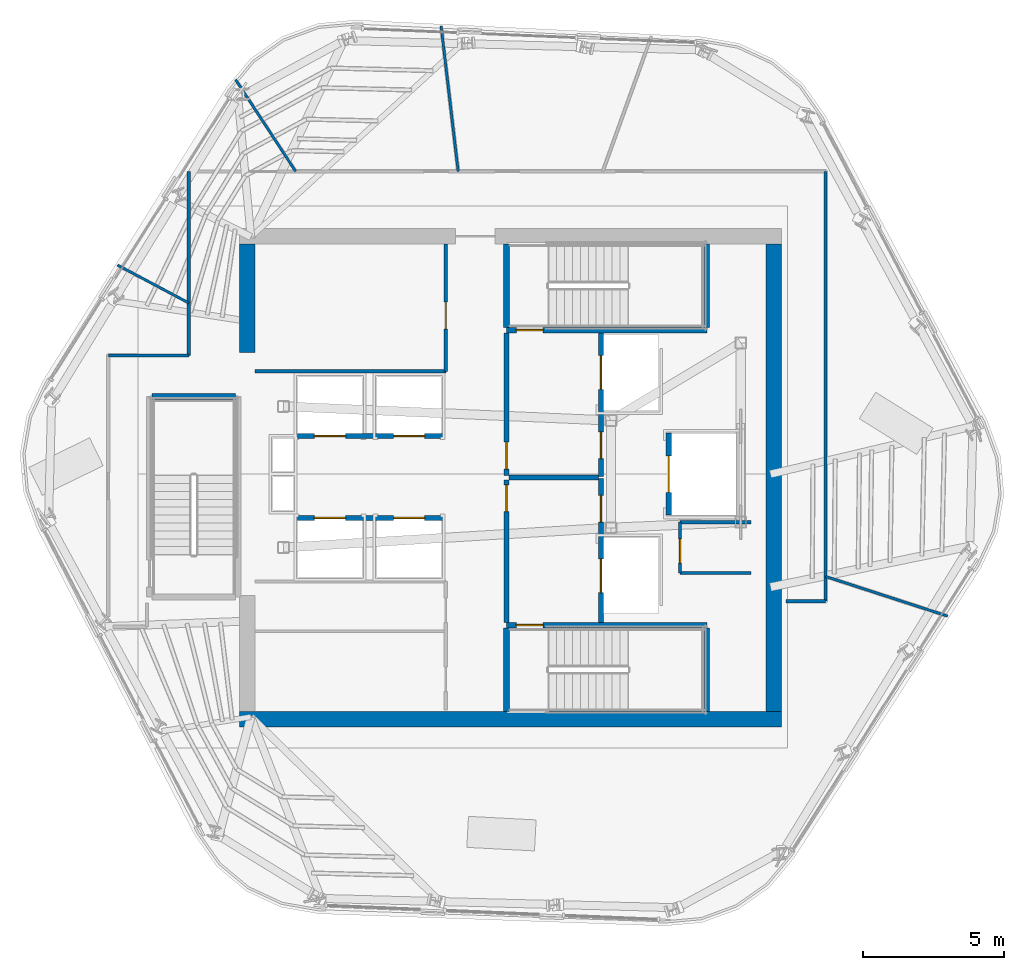
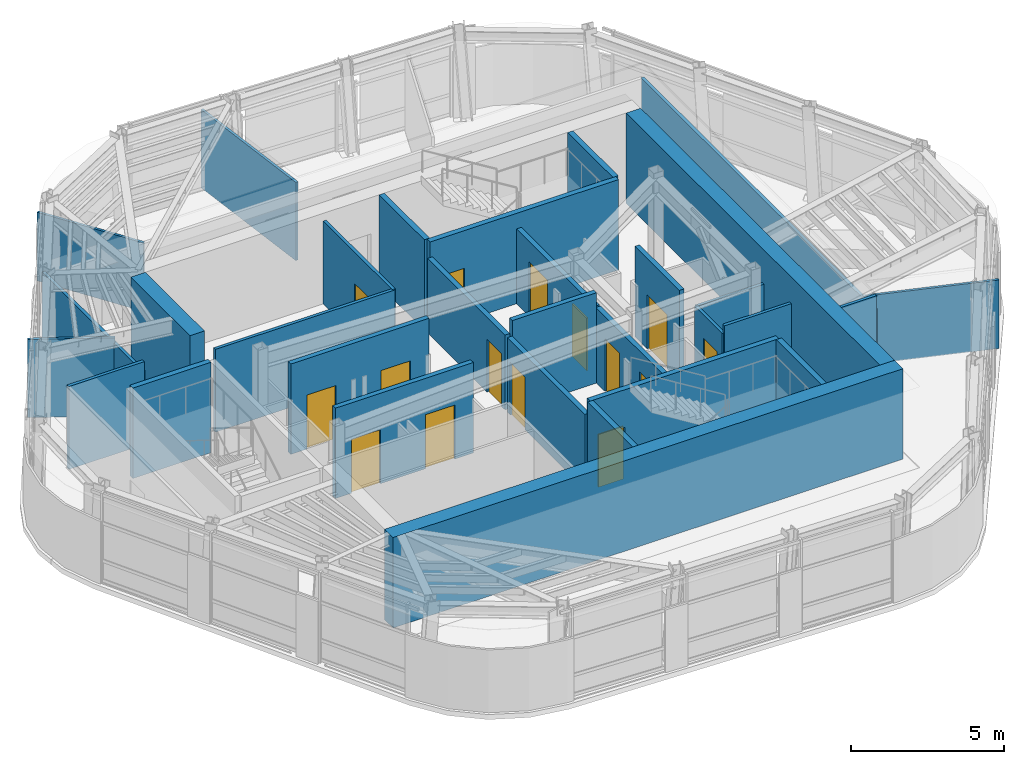
# One storey, part 7 of 13: 31 walls, 15 doors, 15 openings.
"""IFC4 building model written with IfcOpenShell, lengths in metres."""

from ifc_helpers import new_model, si_unit, direction, frame, frame_2d, origin, place, context, subcontext, project, spatial, rectangle, extrude, material, layer, layer_set, type_object, element, fill, save


model = new_model("IFC4")

# Units and contexts
model_context = context("Model", 3, precision=1e-05, world=origin(), true_north=direction((0.0, 1.0)))
body_context = subcontext(model_context, "Body", "Model", "MODEL_VIEW")
ifc_project = project(units=[si_unit("LENGTHUNIT", "METRE"), si_unit("AREAUNIT", "SQUARE_METRE"), si_unit("VOLUMEUNIT", "CUBIC_METRE"), si_unit("PLANEANGLEUNIT", "RADIAN"), si_unit("MASSUNIT", "GRAM", prefix="KILO")], contexts=[model_context])

# Site, building, storey
site_placement = place(None, origin())
site = spatial("IfcSite", under=ifc_project, at=site_placement, CompositionType="ELEMENT")
building_placement = place(site_placement, origin())
building = spatial("IfcBuilding", under=site, at=building_placement, Name="Valkerne Bourse Tower", CompositionType="ELEMENT")
storey_placement = place(building_placement, frame((0.0, 0.0, 273.60009765625)))
storey = spatial("IfcBuildingStorey", under=building, at=storey_placement, Name="L69", CompositionType="ELEMENT", Elevation=273.60009765625)

# Walls
ifc_material_1 = material(Name="Concrete C55/67", Category="concrete")
ifc_layer_1 = layer(ifc_material_1, 0.550048828125)
ifc_layer_set_1 = layer_set([ifc_layer_1], Name="Concrete C55/67")
wall_type_1 = type_object("IfcWallType", Name="W-CORE-550", PredefinedType="SHEAR", material=ifc_layer_set_1)
wall_1_placement = place(storey_placement, frame((37.199951171875, 18.324951171875, 0.0), z_axis=(0.0, 0.0, 1.0), x_axis=(1.0, 0.0, 0.0)))
element("IfcWall", 1, at=wall_1_placement, inside=storey, type_object=wall_type_1, Name="L69 Core Shear Wall SOUTH", PredefinedType="SHEAR", context=body_context, shape_type="SweptSolid", body=[
    extrude(rectangle(XDim=19.199951171875, YDim=0.550048828125, at=frame_2d((9.60009765625, 0.0))), origin(), (0.0, 0.0, 1.0), 3.599853515625),
])
wall_2_placement = place(storey_placement, frame((56.125, 18.60009765625, 0.0), z_axis=(0.0, 0.0, 1.0), x_axis=(0.0, 1.0, 0.0)))
element("IfcWall", 2, at=wall_2_placement, inside=storey, type_object=wall_type_1, Name="L69 Core Shear Wall EAST", PredefinedType="SHEAR", context=body_context, shape_type="SweptSolid", body=[
    extrude(rectangle(XDim=16.5498046875, YDim=0.550048828125, at=frame_2d((8.27490234375, 0.0))), origin(), (0.0, 0.0, 1.0), 3.599853515625),
])
wall_3_placement = place(storey_placement, frame((37.47509765625, 31.300048828125, 0.0), z_axis=(0.0, 0.0, 1.0), x_axis=(0.0, 1.0, 0.0)))
element("IfcWall", 3, at=wall_3_placement, inside=storey, type_object=wall_type_1, Name="L69 Core Shear Wall WEST-N", PredefinedType="SHEAR", context=body_context, shape_type="SweptSolid", body=[
    extrude(rectangle(XDim=3.849853515625, YDim=0.550048828125, at=frame_2d((1.9248046875, 0.0))), origin(), (0.0, 0.0, 1.0), 3.599853515625),
])

# Wall, opening, door
ifc_material_2 = material(Name="Gypsum Board Steel-Stud Partition", Category="steel")
ifc_layer_2 = layer(ifc_material_2, 0.117919921875)
ifc_layer_set_2 = layer_set([ifc_layer_2], Name="Gypsum Board Steel-Stud Partition")
wall_type_2 = type_object("IfcWallType", Name="W-CORR-140", PredefinedType="PARTITIONING", material=ifc_layer_set_2)
wall_4_placement = place(storey_placement, frame((44.5, 30.639892578125, 0.0), z_axis=(0.0, 0.0, 1.0), x_axis=(0.0, 1.0, 0.0)))
wall_4 = element("IfcWall", 4, at=wall_4_placement, inside=storey, type_object=wall_type_2, Name="L69 LV7 Mid-Bank East Wall", PredefinedType="PARTITIONING", context=body_context, shape_type="SweptSolid", body=[
    extrude(rectangle(XDim=4.510009765625, YDim=0.117919921875, at=frame_2d((2.2548828125, 0.0))), origin(), (0.0, 0.0, 1.0), 3.2998046875),
])
opening_1_placement = place(wall_4_placement, frame((1.5, 0.0, 0.0)))
opening_1 = element("IfcOpeningElement", 5, at=opening_1_placement, cuts=wall_4, Name="Opening D-SV-950", PredefinedType="OPENING", context=body_context, shape_type="SweptSolid", body=[
    extrude(rectangle(XDim=0.949951171875, YDim=2.050048828125, at=frame_2d((0.47509765625, 1.02490234375))), frame((0.0, 0.06884765625, 0.0), z_axis=(0.0, -1.0, 0.0), x_axis=(1.0, 0.0, 0.0)), (0.0, 0.0, 1.0), 0.137939453125),
])
ifc_material_3 = material(Name="Galvanised Painted Steel", Category="steel")
door_type_1 = type_object("IfcDoorType", Name="DR-SRV-950", OperationType="NOTDEFINED", PredefinedType="DOOR", material=ifc_material_3)
door_1_placement = place(opening_1_placement, origin())
door_1 = element("IfcDoor", 6, at=door_1_placement, inside=storey, type_object=door_type_1, Name="L69 Executive Treasury Conference Door", OperationType="SINGLE_SWING_RIGHT", OverallHeight=2.050048828125, OverallWidth=0.949951171875, PredefinedType="DOOR", context=body_context, shape_type="SweptSolid", body=[
    extrude(rectangle(XDim=0.949951171875, YDim=2.050048828125, at=frame_2d((0.47509765625, 1.02490234375))), frame((0.0, 0.02490234375, 0.0), z_axis=(0.0, -1.0, 0.0), x_axis=(1.0, 0.0, 0.0)), (0.0, 0.0, 1.0), 0.050048828125),
])
fill(opening_1, door_1)

# Wall
wall_5_placement = place(storey_placement, frame((37.75, 30.639892578125, 0.0), z_axis=(0.0, 0.0, 1.0), x_axis=(1.0, 0.0, 0.0)))
element("IfcWall", 7, at=wall_5_placement, inside=storey, type_object=wall_type_2, Name="L69 LV7 Mid-Bank South Wall", PredefinedType="PARTITIONING", context=body_context, shape_type="SweptSolid", body=[
    extrude(rectangle(XDim=6.75, YDim=0.117919921875, at=frame_2d((3.375, 0.0))), origin(), (0.0, 0.0, 1.0), 3.2998046875),
])

# Wall, opening, door
wall_6_placement = place(storey_placement, frame((52.800048828125, 23.5, 0.0), z_axis=(0.0, 0.0, 1.0), x_axis=(0.0, 1.0, 0.0)))
wall_6 = element("IfcWall", 8, at=wall_6_placement, inside=storey, type_object=wall_type_2, Name="L69 Core SE North-Bay West Wall", PredefinedType="PARTITIONING", context=body_context, shape_type="SweptSolid", body=[
    extrude(rectangle(XDim=1.800048828125, YDim=0.117919921875, at=frame_2d((0.89990234375, 0.0))), origin(), (0.0, 0.0, 1.0), 2.977783203125),
])
opening_2_placement = place(wall_6_placement, frame((0.35009765625, 0.0, 0.0)))
opening_2 = element("IfcOpeningElement", 9, at=opening_2_placement, cuts=wall_6, Name="Opening D-WC-900", PredefinedType="OPENING", context=body_context, shape_type="SweptSolid", body=[
    extrude(rectangle(XDim=0.860107421875, YDim=2.050048828125, at=frame_2d((0.43017578125, 1.02490234375))), frame((0.0, 0.06884765625, 0.0), z_axis=(0.0, -1.0, 0.0), x_axis=(1.0, 0.0, 0.0)), (0.0, 0.0, 1.0), 0.137939453125),
])
ifc_material_4 = material(Name="Architectural White Oak Timber", Category="wood")
door_type_2 = type_object("IfcDoorType", Name="DR-WC-900", OperationType="NOTDEFINED", PredefinedType="DOOR", material=ifc_material_4)
door_2_placement = place(opening_2_placement, origin())
door_2 = element("IfcDoor", 10, at=door_2_placement, inside=storey, type_object=door_type_2, Name="L69 Telecom Closet Door", OperationType="SINGLE_SWING_LEFT", OverallHeight=2.050048828125, OverallWidth=0.860107421875, PredefinedType="DOOR", context=body_context, shape_type="SweptSolid", body=[
    extrude(rectangle(XDim=0.860107421875, YDim=2.050048828125, at=frame_2d((0.43017578125, 1.02490234375))), frame((0.0, 0.02490234375, 0.0), z_axis=(0.0, -1.0, 0.0), x_axis=(1.0, 0.0, 0.0)), (0.0, 0.0, 1.0), 0.050048828125),
])
fill(opening_2, door_2)

# Walls
wall_7_placement = place(storey_placement, frame((52.800048828125, 23.5, 0.0), z_axis=(0.0, 0.0, 1.0), x_axis=(1.0, 0.0, 0.0)))
element("IfcWall", 11, at=wall_7_placement, inside=storey, type_object=wall_type_2, Name="L69 Core SE North-Bay South Wall", PredefinedType="PARTITIONING", context=body_context, shape_type="SweptSolid", body=[
    extrude(rectangle(XDim=2.52001953125, YDim=0.117919921875, at=frame_2d((1.260009765625, 0.0))), origin(), (0.0, 0.0, 1.0), 3.2998046875),
])
wall_8_placement = place(storey_placement, frame((52.800048828125, 25.300048828125, 0.0), z_axis=(0.0, 0.0, 1.0), x_axis=(1.0, 0.0, 0.0)))
element("IfcWall", 12, at=wall_8_placement, inside=storey, type_object=wall_type_2, Name="L69 Core SE North-Bay North Wall", PredefinedType="PARTITIONING", context=body_context, shape_type="SweptSolid", body=[
    extrude(rectangle(XDim=2.52001953125, YDim=0.117919921875, at=frame_2d((1.260009765625, 0.0))), origin(), (0.0, 0.0, 1.0), 2.977783203125),
])
wall_9_placement = place(storey_placement, frame((35.39990234375, 31.199951171875, 0.0), z_axis=(0.0, 0.0, 1.0), x_axis=(0.0, 1.0, 0.0)))
element("IfcWall", 13, at=wall_9_placement, inside=storey, type_object=wall_type_2, Name="L69 Corridor Enclosure Wall", PredefinedType="PARTITIONING", context=body_context, shape_type="SweptSolid", body=[
    extrude(rectangle(XDim=6.52001953125, YDim=0.117919921875, at=frame_2d((3.260009765625, 0.0))), origin(), (0.0, 0.0, 1.0), 2.896484375),
])
wall_10_placement = place(storey_placement, frame((57.949951171875, 37.719970703125, 0.0), z_axis=(0.0, 0.0, 1.0), x_axis=(0.0, -1.0, 0.0)))
element("IfcWall", 14, at=wall_10_placement, inside=storey, type_object=wall_type_2, Name="L69 Corridor Enclosure Wall", PredefinedType="PARTITIONING", context=body_context, shape_type="SweptSolid", body=[
    extrude(rectangle(XDim=15.219970703125, YDim=0.117919921875, at=frame_2d((7.60986328125, 0.0))), origin(), (0.0, 0.0, 1.0), 2.731201171875),
])
wall_11_placement = place(storey_placement, frame((57.949951171875, 22.5, 0.0), z_axis=(0.0, 0.0, 1.0), x_axis=(-1.0, 0.0, 0.0)))
element("IfcWall", 15, at=wall_11_placement, inside=storey, type_object=wall_type_2, Name="L69 Corridor Enclosure Wall", PredefinedType="PARTITIONING", context=body_context, shape_type="SweptSolid", body=[
    extrude(rectangle(XDim=1.389892578125, YDim=0.117919921875, at=frame_2d((0.69482421875, 0.0))), origin(), (0.0, 0.0, 1.0), 3.2998046875),
])
wall_12_placement = place(storey_placement, frame((32.550048828125, 31.199951171875, 0.0), z_axis=(0.0, 0.0, 1.0), x_axis=(1.0, 0.0, 0.0)))
element("IfcWall", 16, at=wall_12_placement, inside=storey, type_object=wall_type_2, Name="L69 Corridor Enclosure Wall", PredefinedType="PARTITIONING", context=body_context, shape_type="SweptSolid", body=[
    extrude(rectangle(XDim=2.849853515625, YDim=0.117919921875, at=frame_2d((1.4248046875, 0.0))), origin(), (0.0, 0.0, 1.0), 3.2998046875),
])
ifc_material_5 = material(Name="Gypsum Fire-Rated Shaftwall", Category="gypsum")
ifc_layer_3 = layer(ifc_material_5, 0.179931640625)
ifc_layer_set_3 = layer_set([ifc_layer_3], Name="Gypsum Fire-Rated Shaftwall")
wall_type_3 = type_object("IfcWallType", Name="W-FSAE-180", PredefinedType="PARTITIONING", material=ifc_layer_set_3)
wall_13_placement = place(storey_placement, frame((46.739990234375, 26.8798828125, 0.0), z_axis=(0.0, 0.0, 1.0), x_axis=(1.0, 0.0, 0.0)))
element("IfcWall", 17, at=wall_13_placement, inside=storey, type_object=wall_type_3, Name="L69 FSAE-1/2 Lobby Dividing Fire Wall", PredefinedType="PARTITIONING", context=body_context, shape_type="SweptSolid", body=[
    extrude(rectangle(XDim=3.169921875, YDim=0.179931640625, at=frame_2d((1.5849609375, 0.0))), origin(), (0.0, 0.0, 1.0), 3.599853515625),
])

# Wall, opening, door
wall_14_placement = place(storey_placement, frame((46.64990234375, 21.75, 0.0), z_axis=(0.0, 0.0, 1.0), x_axis=(0.0, 1.0, 0.0)))
wall_14 = element("IfcWall", 18, at=wall_14_placement, inside=storey, type_object=wall_type_3, Name="L69 FSAE-1 Lobby West Fire Wall", PredefinedType="PARTITIONING", context=body_context, shape_type="SweptSolid", body=[
    extrude(rectangle(XDim=5.050048828125, YDim=0.179931640625, at=frame_2d((2.52490234375, 0.0))), origin(), (0.0, 0.0, 1.0), 2.977783203125),
])
opening_3_placement = place(wall_14_placement, frame((3.919921875, 0.0, 0.0)))
opening_3 = element("IfcOpeningElement", 19, at=opening_3_placement, cuts=wall_14, Name="Opening D-FS-950", PredefinedType="OPENING", context=body_context, shape_type="SweptSolid", body=[
    extrude(rectangle(XDim=0.949951171875, YDim=2.10009765625, at=frame_2d((0.47509765625, 1.050048828125))), frame((0.0, 0.099853515625, 0.0), z_axis=(0.0, -1.0, 0.0), x_axis=(1.0, 0.0, 0.0)), (0.0, 0.0, 1.0), 0.199951171875),
])
door_type_3 = type_object("IfcDoorType", Name="DR-FSAE-950", OperationType="NOTDEFINED", PredefinedType="DOOR", material=ifc_material_3)
door_3_placement = place(opening_3_placement, origin())
door_3 = element("IfcDoor", 20, at=door_3_placement, inside=storey, type_object=door_type_3, Name="L69 FSAE-1 Hall Link Fire Door", OperationType="SINGLE_SWING_RIGHT", OverallHeight=2.10009765625, OverallWidth=0.949951171875, PredefinedType="DOOR", context=body_context, shape_type="SweptSolid", body=[
    extrude(rectangle(XDim=0.949951171875, YDim=2.10009765625, at=frame_2d((0.47509765625, 1.050048828125))), frame((0.0, 0.02490234375, 0.0), z_axis=(0.0, -1.0, 0.0), x_axis=(1.0, 0.0, 0.0)), (0.0, 0.0, 1.0), 0.050048828125),
])
fill(opening_3, door_3)

wall_15_placement = place(storey_placement, frame((46.64990234375, 26.9599609375, 0.0), z_axis=(0.0, 0.0, 1.0), x_axis=(0.0, 1.0, 0.0)))
wall_15 = element("IfcWall", 21, at=wall_15_placement, inside=storey, type_object=wall_type_3, Name="L69 FSAE-2 Lobby West Fire Wall", PredefinedType="PARTITIONING", context=body_context, shape_type="SweptSolid", body=[
    extrude(rectangle(XDim=5.0400390625, YDim=0.179931640625, at=frame_2d((2.52001953125, 0.0))), origin(), (0.0, 0.0, 1.0), 2.977783203125),
])
opening_4_placement = place(wall_15_placement, frame((0.219970703125, 0.0, 0.0)))
opening_4 = element("IfcOpeningElement", 22, at=opening_4_placement, cuts=wall_15, Name="Opening D-FS-950", PredefinedType="OPENING", context=body_context, shape_type="SweptSolid", body=[
    extrude(rectangle(XDim=0.949951171875, YDim=2.10009765625, at=frame_2d((0.47509765625, 1.050048828125))), frame((0.0, 0.099853515625, 0.0), z_axis=(0.0, -1.0, 0.0), x_axis=(1.0, 0.0, 0.0)), (0.0, 0.0, 1.0), 0.199951171875),
])
door_4_placement = place(opening_4_placement, origin())
door_4 = element("IfcDoor", 23, at=door_4_placement, inside=storey, type_object=door_type_3, Name="L69 FSAE-2 Hall Link Fire Door", OperationType="SINGLE_SWING_RIGHT", OverallHeight=2.10009765625, OverallWidth=0.949951171875, PredefinedType="DOOR", context=body_context, shape_type="SweptSolid", body=[
    extrude(rectangle(XDim=0.949951171875, YDim=2.10009765625, at=frame_2d((0.47509765625, 1.050048828125))), frame((0.0, 0.02490234375, 0.0), z_axis=(0.0, -1.0, 0.0), x_axis=(1.0, 0.0, 0.0)), (0.0, 0.0, 1.0), 0.050048828125),
])
fill(opening_4, door_4)

# Wall, openings, doors
wall_16_placement = place(storey_placement, frame((50.0, 21.75, 0.0), z_axis=(0.0, 0.0, 1.0), x_axis=(0.0, 1.0, 0.0)))
wall_16 = element("IfcWall", 24, at=wall_16_placement, inside=storey, type_object=wall_type_3, Name="L69 FSAE-1 Lobby & Shaft Front Wall", PredefinedType="PARTITIONING", context=body_context, shape_type="SweptSolid", body=[
    extrude(rectangle(XDim=5.090087890625, YDim=0.179931640625, at=frame_2d((2.544921875, 0.0))), origin(), (0.0, 0.0, 1.0), 2.977783203125),
])
opening_5_placement = place(wall_16_placement, frame((1.050048828125, 0.0, 0.0)))
opening_5 = element("IfcOpeningElement", 25, at=opening_5_placement, cuts=wall_16, Name="Opening LD-1200", PredefinedType="OPENING", context=body_context, shape_type="SweptSolid", body=[
    extrude(rectangle(XDim=1.199951171875, YDim=2.14990234375, at=frame_2d((0.60009765625, 1.074951171875))), frame((0.0, 0.099853515625, 0.0), z_axis=(0.0, -1.0, 0.0), x_axis=(1.0, 0.0, 0.0)), (0.0, 0.0, 1.0), 0.199951171875),
])
opening_6_placement = place(wall_16_placement, frame((3.550048828125, 0.0, 0.0)))
opening_6 = element("IfcOpeningElement", 26, at=opening_6_placement, cuts=wall_16, Name="Opening D-FS-950", PredefinedType="OPENING", context=body_context, shape_type="SweptSolid", body=[
    extrude(rectangle(XDim=0.949951171875, YDim=2.10009765625, at=frame_2d((0.47509765625, 1.050048828125))), frame((0.0, 0.099853515625, 0.0), z_axis=(0.0, -1.0, 0.0), x_axis=(1.0, 0.0, 0.0)), (0.0, 0.0, 1.0), 0.199951171875),
])
door_5_placement = place(opening_6_placement, origin())
door_5 = element("IfcDoor", 27, at=door_5_placement, inside=storey, type_object=door_type_3, Name="L69 FSAE-1 Lobby Corridor Fire Door", OperationType="SINGLE_SWING_RIGHT", OverallHeight=2.10009765625, OverallWidth=0.949951171875, PredefinedType="DOOR", context=body_context, shape_type="SweptSolid", body=[
    extrude(rectangle(XDim=0.949951171875, YDim=2.10009765625, at=frame_2d((0.47509765625, 1.050048828125))), frame((0.0, 0.02490234375, 0.0), z_axis=(0.0, -1.0, 0.0), x_axis=(1.0, 0.0, 0.0)), (0.0, 0.0, 1.0), 0.050048828125),
])
fill(opening_6, door_5)
ifc_material_6 = material(Name="Stainless Steel AISI 316", Category="steel")
door_type_4 = type_object("IfcDoorType", Name="DR-LIFT-1200", OperationType="DOUBLE_DOOR_SLIDING", PredefinedType="DOOR", material=ifc_material_6)
door_6_placement = place(opening_5_placement, origin())
door_6 = element("IfcDoor", 28, at=door_6_placement, inside=storey, type_object=door_type_4, Name="L69 FSAE-1 Firefighting Lift Landing Door", OperationType="DOUBLE_DOOR_SLIDING", OverallHeight=2.14990234375, OverallWidth=1.199951171875, PredefinedType="DOOR", context=body_context, shape_type="SweptSolid", body=[
    extrude(rectangle(XDim=1.199951171875, YDim=2.14990234375, at=frame_2d((0.60009765625, 1.074951171875))), frame((0.0, 0.02490234375, 0.0), z_axis=(0.0, -1.0, 0.0), x_axis=(1.0, 0.0, 0.0)), (0.0, 0.0, 1.0), 0.050048828125),
])
fill(opening_5, door_6)

wall_17_placement = place(storey_placement, frame((50.0, 26.919921875, 0.0), z_axis=(0.0, 0.0, 1.0), x_axis=(0.0, 1.0, 0.0)))
wall_17 = element("IfcWall", 29, at=wall_17_placement, inside=storey, type_object=wall_type_3, Name="L69 FSAE-2 Lobby & Shaft Front Wall", PredefinedType="PARTITIONING", context=body_context, shape_type="SweptSolid", body=[
    extrude(rectangle(XDim=5.080078125, YDim=0.179931640625, at=frame_2d((2.5400390625, 0.0))), origin(), (0.0, 0.0, 1.0), 2.977783203125),
])
opening_7_placement = place(wall_17_placement, frame((3.080078125, 0.0, 0.0)))
opening_7 = element("IfcOpeningElement", 30, at=opening_7_placement, cuts=wall_17, Name="Opening LD-1200", PredefinedType="OPENING", context=body_context, shape_type="SweptSolid", body=[
    extrude(rectangle(XDim=1.199951171875, YDim=2.14990234375, at=frame_2d((0.60009765625, 1.074951171875))), frame((0.0, 0.099853515625, 0.0), z_axis=(0.0, -1.0, 0.0), x_axis=(1.0, 0.0, 0.0)), (0.0, 0.0, 1.0), 0.199951171875),
])
opening_8_placement = place(wall_17_placement, frame((0.6298828125, 0.0, 0.0)))
opening_8 = element("IfcOpeningElement", 31, at=opening_8_placement, cuts=wall_17, Name="Opening D-FS-950", PredefinedType="OPENING", context=body_context, shape_type="SweptSolid", body=[
    extrude(rectangle(XDim=0.949951171875, YDim=2.10009765625, at=frame_2d((0.47509765625, 1.050048828125))), frame((0.0, 0.099853515625, 0.0), z_axis=(0.0, -1.0, 0.0), x_axis=(1.0, 0.0, 0.0)), (0.0, 0.0, 1.0), 0.199951171875),
])
door_7_placement = place(opening_8_placement, origin())
door_7 = element("IfcDoor", 32, at=door_7_placement, inside=storey, type_object=door_type_3, Name="L69 FSAE-2 Lobby Corridor Fire Door", OperationType="SINGLE_SWING_RIGHT", OverallHeight=2.10009765625, OverallWidth=0.949951171875, PredefinedType="DOOR", context=body_context, shape_type="SweptSolid", body=[
    extrude(rectangle(XDim=0.949951171875, YDim=2.10009765625, at=frame_2d((0.47509765625, 1.050048828125))), frame((0.0, 0.02490234375, 0.0), z_axis=(0.0, -1.0, 0.0), x_axis=(1.0, 0.0, 0.0)), (0.0, 0.0, 1.0), 0.050048828125),
])
fill(opening_8, door_7)
door_8_placement = place(opening_7_placement, origin())
door_8 = element("IfcDoor", 33, at=door_8_placement, inside=storey, type_object=door_type_4, Name="L69 FSAE-2 Firefighting Lift Landing Door", OperationType="DOUBLE_DOOR_SLIDING", OverallHeight=2.14990234375, OverallWidth=1.199951171875, PredefinedType="DOOR", context=body_context, shape_type="SweptSolid", body=[
    extrude(rectangle(XDim=1.199951171875, YDim=2.14990234375, at=frame_2d((0.60009765625, 1.074951171875))), frame((0.0, 0.02490234375, 0.0), z_axis=(0.0, -1.0, 0.0), x_axis=(1.0, 0.0, 0.0)), (0.0, 0.0, 1.0), 0.050048828125),
])
fill(opening_7, door_8)

# Wall, opening, door
ifc_material_7 = material(Name="CMU Blockwork Masonry 200mm", Category="masonry")
ifc_layer_4 = layer(ifc_material_7, 0.179931640625)
ifc_layer_set_4 = layer_set([ifc_layer_4], Name="CMU Blockwork Masonry 200mm")
wall_type_4 = type_object("IfcWallType", Name="W-LFT-180", PredefinedType="SOLIDWALL", material=ifc_layer_set_4)
wall_18_placement = place(storey_placement, frame((52.39990234375, 25.550048828125, 0.0), z_axis=(0.0, 0.0, 1.0), x_axis=(0.0, 1.0, 0.0)))
wall_18 = element("IfcWall", 34, at=wall_18_placement, inside=storey, type_object=wall_type_4, Name="L69 Service Lift SV-1 Front Wall", PredefinedType="SOLIDWALL", context=body_context, shape_type="SweptSolid", body=[
    extrude(rectangle(XDim=2.89990234375, YDim=0.179931640625, at=frame_2d((1.449951171875, 0.0))), origin(), (0.0, 0.0, 1.0), 3.599853515625),
])
opening_9_placement = place(wall_18_placement, frame((0.800048828125, 0.0, 0.0)))
opening_9 = element("IfcOpeningElement", 35, at=opening_9_placement, cuts=wall_18, Name="Opening LD-1300", PredefinedType="OPENING", context=body_context, shape_type="SweptSolid", body=[
    extrude(rectangle(XDim=1.300048828125, YDim=2.14990234375, at=frame_2d((0.64990234375, 1.074951171875))), frame((0.0, 0.099853515625, 0.0), z_axis=(0.0, -1.0, 0.0), x_axis=(1.0, 0.0, 0.0)), (0.0, 0.0, 1.0), 0.199951171875),
])
door_type_5 = type_object("IfcDoorType", Name="DR-LIFT-1300", OperationType="DOUBLE_DOOR_SLIDING", PredefinedType="DOOR", material=ifc_material_6)
door_9_placement = place(opening_9_placement, origin())
door_9 = element("IfcDoor", 36, at=door_9_placement, inside=storey, type_object=door_type_5, Name="L69 Service Lift SV-1 Landing Door", OperationType="DOUBLE_DOOR_SLIDING", OverallHeight=2.14990234375, OverallWidth=1.300048828125, PredefinedType="DOOR", context=body_context, shape_type="SweptSolid", body=[
    extrude(rectangle(XDim=1.300048828125, YDim=2.14990234375, at=frame_2d((0.64990234375, 1.074951171875))), frame((0.0, 0.02490234375, 0.0), z_axis=(0.0, -1.0, 0.0), x_axis=(1.0, 0.0, 0.0)), (0.0, 0.0, 1.0), 0.050048828125),
])
fill(opening_9, door_9)

# Wall, openings, doors
wall_19_placement = place(storey_placement, frame((39.25, 25.449951171875, 0.0), z_axis=(0.0, 0.0, 1.0), x_axis=(1.0, 0.0, 0.0)))
wall_19 = element("IfcWall", 37, at=wall_19_placement, inside=storey, type_object=wall_type_4, Name="L69 High-Zone South Cars Front Wall", PredefinedType="SOLIDWALL", context=body_context, shape_type="SweptSolid", body=[
    extrude(rectangle(XDim=5.199951171875, YDim=0.179931640625, at=frame_2d((2.60009765625, 0.0))), origin(), (0.0, 0.0, 1.0), 3.599853515625),
])
opening_10_placement = place(wall_19_placement, frame((0.60009765625, 0.0, 0.0)))
opening_10 = element("IfcOpeningElement", 38, at=opening_10_placement, cuts=wall_19, Name="Opening LD-1100", PredefinedType="OPENING", context=body_context, shape_type="SweptSolid", body=[
    extrude(rectangle(XDim=1.10009765625, YDim=2.14990234375, at=frame_2d((0.550048828125, 1.074951171875))), frame((0.0, 0.099853515625, 0.0), z_axis=(0.0, -1.0, 0.0), x_axis=(1.0, 0.0, 0.0)), (0.0, 0.0, 1.0), 0.199951171875),
])
opening_11_placement = place(wall_19_placement, frame((3.39990234375, 0.0, 0.0)))
opening_11 = element("IfcOpeningElement", 39, at=opening_11_placement, cuts=wall_19, Name="Opening LD-1100", PredefinedType="OPENING", context=body_context, shape_type="SweptSolid", body=[
    extrude(rectangle(XDim=1.10009765625, YDim=2.14990234375, at=frame_2d((0.550048828125, 1.074951171875))), frame((0.0, 0.099853515625, 0.0), z_axis=(0.0, -1.0, 0.0), x_axis=(1.0, 0.0, 0.0)), (0.0, 0.0, 1.0), 0.199951171875),
])
door_type_6 = type_object("IfcDoorType", Name="DR-LIFT-1100", OperationType="DOUBLE_DOOR_SLIDING", PredefinedType="DOOR", material=ifc_material_6)
door_10_placement = place(opening_10_placement, origin())
door_10 = element("IfcDoor", 40, at=door_10_placement, inside=storey, type_object=door_type_6, Name="L69 Passenger Lift PL-H1 Sliding Landing Door", OperationType="DOUBLE_DOOR_SLIDING", OverallHeight=2.14990234375, OverallWidth=1.10009765625, PredefinedType="DOOR", context=body_context, shape_type="SweptSolid", body=[
    extrude(rectangle(XDim=1.10009765625, YDim=2.14990234375, at=frame_2d((0.550048828125, 1.074951171875))), frame((0.0, 0.02490234375, 0.0), z_axis=(0.0, -1.0, 0.0), x_axis=(1.0, 0.0, 0.0)), (0.0, 0.0, 1.0), 0.050048828125),
])
fill(opening_10, door_10)
door_11_placement = place(opening_11_placement, origin())
door_11 = element("IfcDoor", 41, at=door_11_placement, inside=storey, type_object=door_type_6, Name="L69 Passenger Lift PL-H2 Sliding Landing Door", OperationType="DOUBLE_DOOR_SLIDING", OverallHeight=2.14990234375, OverallWidth=1.10009765625, PredefinedType="DOOR", context=body_context, shape_type="SweptSolid", body=[
    extrude(rectangle(XDim=1.10009765625, YDim=2.14990234375, at=frame_2d((0.550048828125, 1.074951171875))), frame((0.0, 0.02490234375, 0.0), z_axis=(0.0, -1.0, 0.0), x_axis=(1.0, 0.0, 0.0)), (0.0, 0.0, 1.0), 0.050048828125),
])
fill(opening_11, door_11)

wall_20_placement = place(storey_placement, frame((39.25, 28.35009765625, 0.0), z_axis=(0.0, 0.0, 1.0), x_axis=(1.0, 0.0, 0.0)))
wall_20 = element("IfcWall", 42, at=wall_20_placement, inside=storey, type_object=wall_type_4, Name="L69 High-Zone North Cars Front Wall", PredefinedType="SOLIDWALL", context=body_context, shape_type="SweptSolid", body=[
    extrude(rectangle(XDim=5.199951171875, YDim=0.179931640625, at=frame_2d((2.60009765625, 0.0))), origin(), (0.0, 0.0, 1.0), 3.599853515625),
])
opening_12_placement = place(wall_20_placement, frame((0.60009765625, 0.0, 0.0)))
opening_12 = element("IfcOpeningElement", 43, at=opening_12_placement, cuts=wall_20, Name="Opening LD-1100", PredefinedType="OPENING", context=body_context, shape_type="SweptSolid", body=[
    extrude(rectangle(XDim=1.10009765625, YDim=2.14990234375, at=frame_2d((0.550048828125, 1.074951171875))), frame((0.0, 0.099853515625, 0.0), z_axis=(0.0, -1.0, 0.0), x_axis=(1.0, 0.0, 0.0)), (0.0, 0.0, 1.0), 0.199951171875),
])
opening_13_placement = place(wall_20_placement, frame((3.39990234375, 0.0, 0.0)))
opening_13 = element("IfcOpeningElement", 44, at=opening_13_placement, cuts=wall_20, Name="Opening LD-1100", PredefinedType="OPENING", context=body_context, shape_type="SweptSolid", body=[
    extrude(rectangle(XDim=1.10009765625, YDim=2.14990234375, at=frame_2d((0.550048828125, 1.074951171875))), frame((0.0, 0.099853515625, 0.0), z_axis=(0.0, -1.0, 0.0), x_axis=(1.0, 0.0, 0.0)), (0.0, 0.0, 1.0), 0.199951171875),
])
door_12_placement = place(opening_12_placement, origin())
door_12 = element("IfcDoor", 45, at=door_12_placement, inside=storey, type_object=door_type_6, Name="L69 Passenger Lift PL-H3 Sliding Landing Door", OperationType="DOUBLE_DOOR_SLIDING", OverallHeight=2.14990234375, OverallWidth=1.10009765625, PredefinedType="DOOR", context=body_context, shape_type="SweptSolid", body=[
    extrude(rectangle(XDim=1.10009765625, YDim=2.14990234375, at=frame_2d((0.550048828125, 1.074951171875))), frame((0.0, 0.02490234375, 0.0), z_axis=(0.0, -1.0, 0.0), x_axis=(1.0, 0.0, 0.0)), (0.0, 0.0, 1.0), 0.050048828125),
])
fill(opening_12, door_12)
door_13_placement = place(opening_13_placement, origin())
door_13 = element("IfcDoor", 46, at=door_13_placement, inside=storey, type_object=door_type_6, Name="L69 Passenger Lift PL-H4 Sliding Landing Door", OperationType="DOUBLE_DOOR_SLIDING", OverallHeight=2.14990234375, OverallWidth=1.10009765625, PredefinedType="DOOR", context=body_context, shape_type="SweptSolid", body=[
    extrude(rectangle(XDim=1.10009765625, YDim=2.14990234375, at=frame_2d((0.550048828125, 1.074951171875))), frame((0.0, 0.02490234375, 0.0), z_axis=(0.0, -1.0, 0.0), x_axis=(1.0, 0.0, 0.0)), (0.0, 0.0, 1.0), 0.050048828125),
])
fill(opening_13, door_13)

# Walls
ifc_layer_5 = layer(ifc_material_2, 0.092041015625)
ifc_layer_set_5 = layer_set([ifc_layer_5], Name="Gypsum Board Steel-Stud Partition")
wall_type_5 = type_object("IfcWallType", Name="W-PART-115", PredefinedType="PARTITIONING", material=ifc_layer_set_5)
wall_21_placement = place(storey_placement, frame((44.940185546875, 37.72509765625, 0.0), z_axis=(0.0, 0.0, 1.0), x_axis=(-0.116699045809, 0.99316732362, 0.0)))
element("IfcWall", 47, at=wall_21_placement, inside=storey, type_object=wall_type_5, Name="L69 Suite Partition P02", PredefinedType="PARTITIONING", context=body_context, shape_type="SweptSolid", body=[
    extrude(rectangle(XDim=5.179931640625, YDim=0.092041015625, at=frame_2d((2.58984375, 0.0))), origin(), (0.0, 0.0, 1.0), 3.114990234375),
])
wall_22_placement = place(storey_placement, frame((39.181884765625, 37.72509765625, 0.0), z_axis=(0.0, 0.0, 1.0), x_axis=(-0.547569528362, 0.836760187634, 0.0)))
element("IfcWall", 48, at=wall_22_placement, inside=storey, type_object=wall_type_5, Name="L69 Suite Partition P03", PredefinedType="PARTITIONING", context=body_context, shape_type="SweptSolid", body=[
    extrude(rectangle(XDim=3.882568359375, YDim=0.092041015625, at=frame_2d((1.94140625, 0.0))), origin(), (0.0, 0.0, 1.0), 2.731201171875),
])
wall_23_placement = place(storey_placement, frame((57.955078125, 23.37548828125, 0.0), z_axis=(0.0, 0.0, 1.0), x_axis=(0.951059354124, -0.309008260298, 0.0)))
element("IfcWall", 49, at=wall_23_placement, inside=storey, type_object=wall_type_5, Name="L69 Suite Partition P04", PredefinedType="PARTITIONING", context=body_context, shape_type="SweptSolid", body=[
    extrude(rectangle(XDim=4.54052734375, YDim=0.092041015625, at=frame_2d((2.270263671875, 0.0))), origin(), (0.0, 0.0, 1.0), 2.731201171875),
])
wall_24_placement = place(storey_placement, frame((35.39501953125, 33.064208984375, 0.0), z_axis=(0.0, 0.0, 1.0), x_axis=(-0.882956151722, 0.469455465552, 0.0)))
element("IfcWall", 50, at=wall_24_placement, inside=storey, type_object=wall_type_5, Name="L69 Suite Partition P05", PredefinedType="PARTITIONING", context=body_context, shape_type="SweptSolid", body=[
    extrude(rectangle(XDim=2.853515625, YDim=0.092041015625, at=frame_2d((1.4267578125, 0.0))), origin(), (0.0, 0.0, 1.0), 3.114990234375),
])

# Wall, opening, door
ifc_material_8 = material(Name="Concrete C40/50", Category="concrete")
ifc_layer_6 = layer(ifc_material_8, 0.199951171875)
ifc_layer_set_6 = layer_set([ifc_layer_6], Name="Concrete C40/50")
wall_type_6 = type_object("IfcWallType", Name="W-SHF-200", PredefinedType="SHEAR", material=ifc_layer_set_6)
wall_25_placement = place(storey_placement, frame((46.64990234375, 21.64990234375, 0.0), z_axis=(0.0, 0.0, 1.0), x_axis=(1.0, 0.0, 0.0)))
wall_25 = element("IfcWall", 51, at=wall_25_placement, inside=storey, type_object=wall_type_6, Name="L69 Exit Stair ST-1 Structural Shaft Wall North", PredefinedType="SHEAR", context=body_context, shape_type="SweptSolid", body=[
    extrude(rectangle(XDim=7.10009765625, YDim=0.199951171875, at=frame_2d((3.550048828125, 0.0))), origin(), (0.0, 0.0, 1.0), 3.599853515625),
])
opening_14_placement = place(wall_25_placement, frame((0.35009765625, 0.0, 0.0)))
opening_14 = element("IfcOpeningElement", 52, at=opening_14_placement, cuts=wall_25, Name="Opening D-ST-950", PredefinedType="OPENING", context=body_context, shape_type="SweptSolid", body=[
    extrude(rectangle(XDim=0.949951171875, YDim=2.10009765625, at=frame_2d((0.47509765625, 1.050048828125))), frame((0.0, 0.10986328125, 0.0), z_axis=(0.0, -1.0, 0.0), x_axis=(1.0, 0.0, 0.0)), (0.0, 0.0, 1.0), 0.219970703125),
])
door_type_7 = type_object("IfcDoorType", Name="DR-STAIR-950", OperationType="NOTDEFINED", PredefinedType="DOOR", material=ifc_material_3)
door_14_placement = place(opening_14_placement, origin())
door_14 = element("IfcDoor", 53, at=door_14_placement, inside=storey, type_object=door_type_7, Name="L69 Exit Stair ST-1 Door", OperationType="SINGLE_SWING_LEFT", OverallHeight=2.10009765625, OverallWidth=0.949951171875, PredefinedType="DOOR", context=body_context, shape_type="SweptSolid", body=[
    extrude(rectangle(XDim=0.949951171875, YDim=2.10009765625, at=frame_2d((0.47509765625, 1.050048828125))), frame((0.0, 0.02490234375, 0.0), z_axis=(0.0, -1.0, 0.0), x_axis=(1.0, 0.0, 0.0)), (0.0, 0.0, 1.0), 0.050048828125),
])
fill(opening_14, door_14)

# Walls
for number, where, z_axis, x_axis, name in (
    (54, (46.64990234375, 18.60009765625, 0.0), (0.0, 0.0, 1.0), (0.0, 1.0, 0.0), "L69 Exit Stair ST-1 Structural Shaft Wall West"),
    (55, (53.75, 18.60009765625, 0.0), (0.0, 0.0, 1.0), (0.0, 1.0, 0.0), "L69 Exit Stair ST-1 Structural Shaft Wall East"),
):
    element("IfcWall", number, at=place(storey_placement, frame(where, z_axis=z_axis, x_axis=x_axis)), inside=storey, type_object=wall_type_6, Name=name, PredefinedType="SHEAR", context=body_context, shape_type="SweptSolid", body=[
        extrude(rectangle(XDim=2.949951171875, YDim=0.199951171875, at=frame_2d((1.47509765625, 0.0))), origin(), (0.0, 0.0, 1.0), 3.599853515625),
    ])

# Wall, opening, door
wall_26_placement = place(storey_placement, frame((46.64990234375, 32.10009765625, 0.0), z_axis=(0.0, 0.0, 1.0), x_axis=(1.0, 0.0, 0.0)))
wall_26 = element("IfcWall", 56, at=wall_26_placement, inside=storey, type_object=wall_type_6, Name="L69 Exit Stair ST-2 Structural Shaft Wall South", PredefinedType="SHEAR", context=body_context, shape_type="SweptSolid", body=[
    extrude(rectangle(XDim=7.10009765625, YDim=0.199951171875, at=frame_2d((3.550048828125, 0.0))), origin(), (0.0, 0.0, 1.0), 3.599853515625),
])
opening_15_placement = place(wall_26_placement, frame((0.35009765625, 0.0, 0.0)))
opening_15 = element("IfcOpeningElement", 57, at=opening_15_placement, cuts=wall_26, Name="Opening D-ST-950", PredefinedType="OPENING", context=body_context, shape_type="SweptSolid", body=[
    extrude(rectangle(XDim=0.949951171875, YDim=2.10009765625, at=frame_2d((0.47509765625, 1.050048828125))), frame((0.0, 0.10986328125, 0.0), z_axis=(0.0, -1.0, 0.0), x_axis=(1.0, 0.0, 0.0)), (0.0, 0.0, 1.0), 0.219970703125),
])
door_15_placement = place(opening_15_placement, origin())
door_15 = element("IfcDoor", 58, at=door_15_placement, inside=storey, type_object=door_type_7, Name="L69 Exit Stair ST-2 Door", OperationType="SINGLE_SWING_LEFT", OverallHeight=2.10009765625, OverallWidth=0.949951171875, PredefinedType="DOOR", context=body_context, shape_type="SweptSolid", body=[
    extrude(rectangle(XDim=0.949951171875, YDim=2.10009765625, at=frame_2d((0.47509765625, 1.050048828125))), frame((0.0, 0.02490234375, 0.0), z_axis=(0.0, -1.0, 0.0), x_axis=(1.0, 0.0, 0.0)), (0.0, 0.0, 1.0), 0.050048828125),
])
fill(opening_15, door_15)

# Walls
for number, where, z_axis, x_axis, name in (
    (59, (46.64990234375, 32.199951171875, 0.0), (0.0, 0.0, 1.0), (0.0, 1.0, 0.0), "L69 Exit Stair ST-2 Structural Shaft Wall West"),
    (60, (53.75, 32.199951171875, 0.0), (0.0, 0.0, 1.0), (0.0, 1.0, 0.0), "L69 Exit Stair ST-2 Structural Shaft Wall East"),
    (61, (34.10009765625, 29.75, 0.0), (0.0, 0.0, 1.0), (1.0, 0.0, 0.0), "L69 Exit Stair ST-3 Structural Shaft Wall North"),
):
    element("IfcWall", number, at=place(storey_placement, frame(where, z_axis=z_axis, x_axis=x_axis)), inside=storey, type_object=wall_type_6, Name=name, PredefinedType="SHEAR", context=body_context, shape_type="SweptSolid", body=[
        extrude(rectangle(XDim=2.949951171875, YDim=0.199951171875, at=frame_2d((1.47509765625, 0.0))), origin(), (0.0, 0.0, 1.0), 3.599853515625),
    ])

save(model, "model.ifc")
